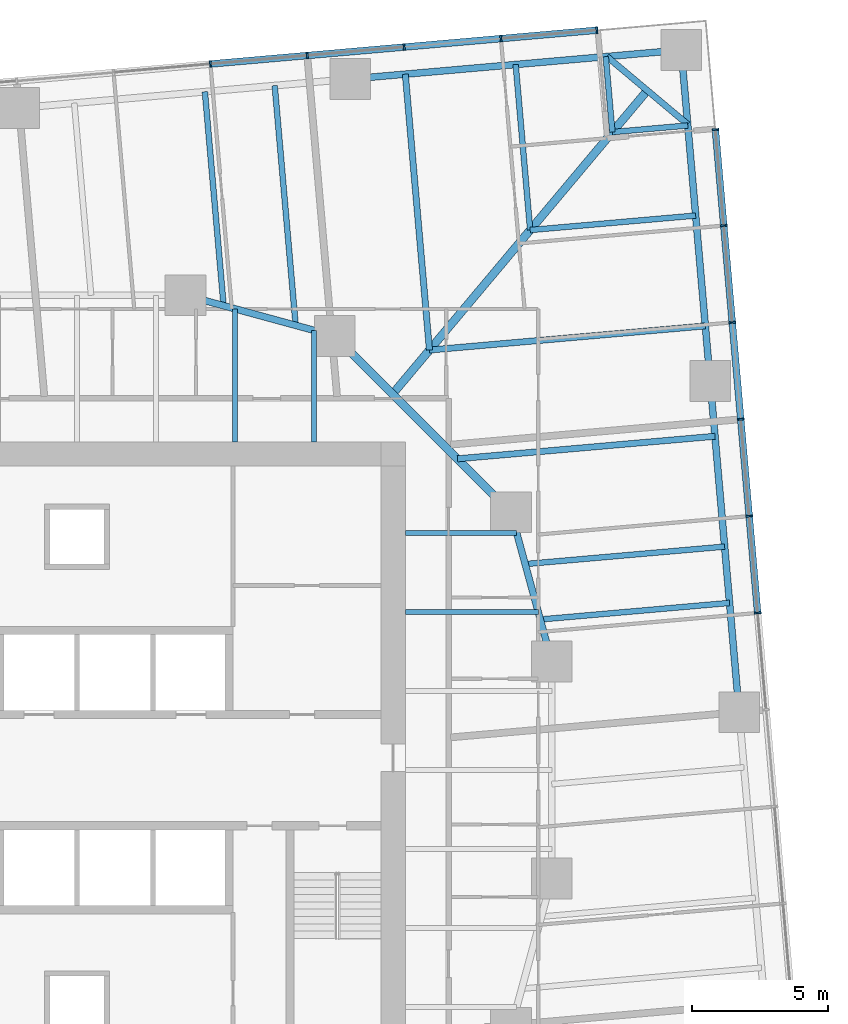
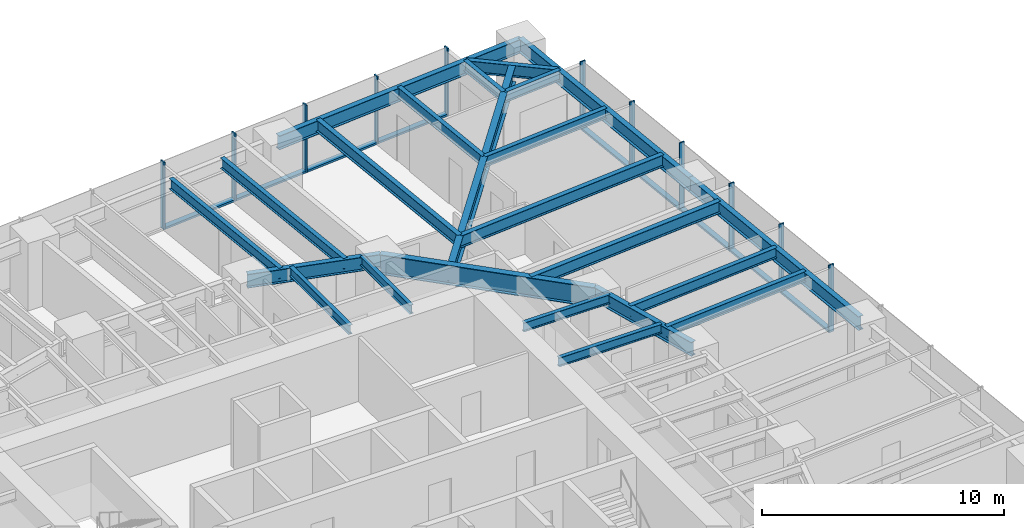
# One storey, part 6 of 14: 23 beams, 20 members, 2 elements without a shape of their own.
"""IFC4 building model written with IfcOpenShell, lengths in metres."""

from ifc_helpers import new_model, si_unit, direction, frame, origin, origin_2d, place, context, subcontext, project, spatial, rectangle, i_section, extrude, material, material_profile, profile_set, type_object, element, aggregate, save


model = new_model("IFC4")

# Units and contexts
model_context = context("Model", 3, precision=1e-05, world=origin(), true_north=direction((0.0, 1.0)))
body_context = subcontext(model_context, "Body", "Model", "MODEL_VIEW")
ifc_project = project(units=[si_unit("LENGTHUNIT", "METRE"), si_unit("AREAUNIT", "SQUARE_METRE"), si_unit("VOLUMEUNIT", "CUBIC_METRE"), si_unit("PLANEANGLEUNIT", "RADIAN"), si_unit("MASSUNIT", "GRAM", prefix="KILO")], contexts=[model_context])

# Site, building, storey
site_placement = place(None, origin())
site = spatial("IfcSite", under=ifc_project, at=site_placement, CompositionType="ELEMENT")
building_placement = place(site_placement, origin())
building = spatial("IfcBuilding", under=site, at=building_placement, Name="Torsade Residences", CompositionType="ELEMENT")
storey_placement = place(building_placement, frame((0.0, 0.0, 54.0)))
storey = spatial("IfcBuildingStorey", under=building, at=storey_placement, Name="L14", CompositionType="ELEMENT", Elevation=54.0)

# Beams
ifc_material_1 = material(Name="Steel grade 300", Category="steel")
ifc_material_profile_1 = material_profile(ifc_material_1, i_section(OverallWidth=0.300048828125, OverallDepth=0.89990234375, WebThickness=0.011962890625, FlangeThickness=0.02490234375, at=origin_2d()), Name="900WB175")
ifc_profile_set_1 = profile_set([ifc_material_profile_1], Name="Steel grade 300")
beam_type_1 = type_object("IfcBeamType", Name="CORNER GIRDER 900WB175", PredefinedType="BEAM", material=ifc_profile_set_1)
beam_1_placement = place(storey_placement, frame((61.021484375, 55.052490234375, 2.800048828125), z_axis=(-0.642785419012, -0.766046281307, 0.0), x_axis=(0.766046281307, -0.642785419012, 0.0)))
element("IfcBeam", 1, at=beam_1_placement, inside=storey, type_object=beam_type_1, Name="Corner girder 09 L15", PredefinedType="BEAM", context=body_context, shape_type="SweptSolid", body=[
    extrude(i_section(OverallWidth=0.300048828125, OverallDepth=0.89990234375, WebThickness=0.011962890625, FlangeThickness=0.02490234375, at=origin_2d()), origin(), (0.0, 0.0, 1.0), 14.603515625),
])
ifc_material_2 = material(Name="Steel grade 300", Category="steel")
ifc_material_profile_2 = material_profile(ifc_material_2, i_section(OverallWidth=0.22802734375, OverallDepth=0.60205078125, WebThickness=0.010498046875, FlangeThickness=0.014892578125, FilletRadius=0.013916015625, at=origin_2d()), Name="610UB101")
ifc_profile_set_2 = profile_set([ifc_material_profile_2], Name="Steel grade 300")
beam_type_2 = type_object("IfcBeamType", Name="CORNER TRIMMER 610UB101", PredefinedType="BEAM", material=ifc_profile_set_2)
beam_2_placement = place(storey_placement, frame((59.531982421875, 56.302490234375, 2.948974609375), z_axis=(0.766030001697, -0.642804819911, 0.0), x_axis=(0.642804819911, 0.766030001697, 0.0)))
element("IfcBeam", 2, at=beam_2_placement, inside=storey, type_object=beam_type_2, Name="Corner trimmer 09 L15", PredefinedType="BEAM", context=body_context, shape_type="SweptSolid", body=[
    extrude(i_section(OverallWidth=0.22802734375, OverallDepth=0.60205078125, WebThickness=0.010498046875, FlangeThickness=0.014892578125, FilletRadius=0.013916015625, at=origin_2d()), origin(), (0.0, 0.0, 1.0), 3.88916015625),
])

# Curtain wall, members
ifc_material_3 = material(Name="Aluminium and glass", Category="aluminium")
curtain_wall_type = type_object("IfcCurtainWallType", Name="FRITTED GLASS CURTAIN WALL LOW ZONE", PredefinedType="NOTDEFINED", material=ifc_material_3)
curtain_wall_1_placement = place(storey_placement, origin())
curtain_wall_1 = element("IfcCurtainWall", 3, at=curtain_wall_1_placement, inside=storey, type_object=curtain_wall_type, Name="Curtain wall L14 face 4", PredefinedType="NOTDEFINED")
ifc_material_4 = material(Name="Aluminium mullion", Category="aluminium")
ifc_material_profile_3 = material_profile(ifc_material_4, rectangle(XDim=0.25, YDim=0.06494140625, at=origin_2d()), Name="CURTAIN WALL MULLION 250x65")
ifc_profile_set_3 = profile_set([ifc_material_profile_3], Name="Aluminium mullion")
member_type_1 = type_object("IfcMemberType", Name="CURTAIN WALL MULLION 250x65", PredefinedType="MULLION", material=ifc_profile_set_3)
member_1_placement = place(storey_placement, frame((65.090576171875, 35.792236328125, 0.0), z_axis=(0.0, 0.0, 1.0), x_axis=(-0.996194697964, -0.087155744208, 0.0)))
member_1 = element("IfcMember", 4, at=member_1_placement, type_object=member_type_1, Name="Mullion 8", PredefinedType="MULLION", context=body_context, shape_type="SweptSolid", body=[
    extrude(rectangle(XDim=0.25, YDim=0.06494140625, at=origin_2d()), origin(), (0.0, 0.0, 1.0), 3.39990234375),
])
member_2_placement = place(storey_placement, frame((64.7783203125, 39.36181640625, 0.0), z_axis=(0.0, 0.0, 1.0), x_axis=(-0.996194697964, -0.087155744208, 0.0)))
member_2 = element("IfcMember", 5, at=member_2_placement, type_object=member_type_1, Name="Mullion 9", PredefinedType="MULLION", context=body_context, shape_type="SweptSolid", body=[
    extrude(rectangle(XDim=0.25, YDim=0.06494140625, at=origin_2d()), origin(), (0.0, 0.0, 1.0), 3.39990234375),
])
member_3_placement = place(storey_placement, frame((64.466064453125, 42.931640625, 0.0), z_axis=(0.0, 0.0, 1.0), x_axis=(-0.996194697964, -0.087155744208, 0.0)))
member_3 = element("IfcMember", 6, at=member_3_placement, type_object=member_type_1, Name="Mullion 10", PredefinedType="MULLION", context=body_context, shape_type="SweptSolid", body=[
    extrude(rectangle(XDim=0.25, YDim=0.06494140625, at=origin_2d()), origin(), (0.0, 0.0, 1.0), 3.39990234375),
])
member_4_placement = place(storey_placement, frame((64.15380859375, 46.501220703125, 0.0), z_axis=(0.0, 0.0, 1.0), x_axis=(-0.996194697964, -0.087155744208, 0.0)))
member_4 = element("IfcMember", 7, at=member_4_placement, type_object=member_type_1, Name="Mullion 11", PredefinedType="MULLION", context=body_context, shape_type="SweptSolid", body=[
    extrude(rectangle(XDim=0.25, YDim=0.06494140625, at=origin_2d()), origin(), (0.0, 0.0, 1.0), 3.39990234375),
])
member_5_placement = place(storey_placement, frame((63.84130859375, 50.071044921875, 0.0), z_axis=(0.0, 0.0, 1.0), x_axis=(-0.996194697964, -0.087155744208, 0.0)))
member_5 = element("IfcMember", 8, at=member_5_placement, type_object=member_type_1, Name="Mullion 12", PredefinedType="MULLION", context=body_context, shape_type="SweptSolid", body=[
    extrude(rectangle(XDim=0.25, YDim=0.06494140625, at=origin_2d()), origin(), (0.0, 0.0, 1.0), 3.39990234375),
])
member_6_placement = place(storey_placement, frame((63.531982421875, 53.6083984375, 0.0), z_axis=(0.0, 0.0, 1.0), x_axis=(-0.996194697964, -0.087155744208, 0.0)))
member_6 = element("IfcMember", 9, at=member_6_placement, type_object=member_type_1, Name="Mullion 13", PredefinedType="MULLION", context=body_context, shape_type="SweptSolid", body=[
    extrude(rectangle(XDim=0.25, YDim=0.06494140625, at=origin_2d()), origin(), (0.0, 0.0, 1.0), 3.39990234375),
])

curtain_wall_2_placement = place(storey_placement, origin())
curtain_wall_2 = element("IfcCurtainWall", 10, at=curtain_wall_2_placement, inside=storey, type_object=curtain_wall_type, Name="Curtain wall L14 face 7", PredefinedType="NOTDEFINED")
member_7_placement = place(storey_placement, frame((59.163330078125, 57.27392578125, 0.0), z_axis=(0.0, 0.0, 1.0), x_axis=(0.087155744208, -0.996194697964, 0.0)))
member_7 = element("IfcMember", 11, at=member_7_placement, type_object=member_type_1, Name="Mullion 1", PredefinedType="MULLION", context=body_context, shape_type="SweptSolid", body=[
    extrude(rectangle(XDim=0.25, YDim=0.06494140625, at=origin_2d()), origin(), (0.0, 0.0, 1.0), 3.39990234375),
])
member_8_placement = place(storey_placement, frame((55.6259765625, 56.964599609375, 0.0), z_axis=(0.0, 0.0, 1.0), x_axis=(0.087155744208, -0.996194697964, 0.0)))
member_8 = element("IfcMember", 12, at=member_8_placement, type_object=member_type_1, Name="Mullion 2", PredefinedType="MULLION", context=body_context, shape_type="SweptSolid", body=[
    extrude(rectangle(XDim=0.25, YDim=0.06494140625, at=origin_2d()), origin(), (0.0, 0.0, 1.0), 3.39990234375),
])
member_9_placement = place(storey_placement, frame((52.056396484375, 56.652099609375, 0.0), z_axis=(0.0, 0.0, 1.0), x_axis=(0.087155744208, -0.996194697964, 0.0)))
member_9 = element("IfcMember", 13, at=member_9_placement, type_object=member_type_1, Name="Mullion 3", PredefinedType="MULLION", context=body_context, shape_type="SweptSolid", body=[
    extrude(rectangle(XDim=0.25, YDim=0.06494140625, at=origin_2d()), origin(), (0.0, 0.0, 1.0), 3.39990234375),
])
member_10_placement = place(storey_placement, frame((48.486572265625, 56.33984375, 0.0), z_axis=(0.0, 0.0, 1.0), x_axis=(0.087155744208, -0.996194697964, 0.0)))
member_10 = element("IfcMember", 14, at=member_10_placement, type_object=member_type_1, Name="Mullion 4", PredefinedType="MULLION", context=body_context, shape_type="SweptSolid", body=[
    extrude(rectangle(XDim=0.25, YDim=0.06494140625, at=origin_2d()), origin(), (0.0, 0.0, 1.0), 3.39990234375),
])
member_11_placement = place(storey_placement, frame((44.9169921875, 56.027587890625, 0.0), z_axis=(0.0, 0.0, 1.0), x_axis=(0.087155744208, -0.996194697964, 0.0)))
member_11 = element("IfcMember", 15, at=member_11_placement, type_object=member_type_1, Name="Mullion 5", PredefinedType="MULLION", context=body_context, shape_type="SweptSolid", body=[
    extrude(rectangle(XDim=0.25, YDim=0.06494140625, at=origin_2d()), origin(), (0.0, 0.0, 1.0), 3.39990234375),
])

# Member
ifc_material_5 = material(Name="Aluminium transom", Category="aluminium")
ifc_material_profile_4 = material_profile(ifc_material_5, rectangle(XDim=0.25, YDim=0.10009765625, at=origin_2d()), Name="CURTAIN WALL TRANSOM 250x100")
ifc_profile_set_4 = profile_set([ifc_material_profile_4], Name="Aluminium transom")
member_type_2 = type_object("IfcMemberType", Name="CURTAIN WALL TRANSOM 250x100", PredefinedType="USERDEFINED", material=ifc_profile_set_4)
member_12_placement = place(storey_placement, frame((65.087890625, 35.824462890625, 0.050048828125), z_axis=(-0.08715059597, 0.996195148363, 0.0), x_axis=(-0.996195148363, -0.08715059597, 0.0)))
member_12 = element("IfcMember", 16, at=member_12_placement, type_object=member_type_2, Name="Transom 8.1", ObjectType="TRANSOM", PredefinedType="USERDEFINED", context=body_context, shape_type="SweptSolid", body=[
    extrude(rectangle(XDim=0.25, YDim=0.10009765625, at=origin_2d()), origin(), (0.0, 0.0, 1.0), 3.5185546875),
])

member_13_placement = place(storey_placement, frame((64.775634765625, 39.394287109375, 0.050048828125), z_axis=(-0.087156620531, 0.996194621295, 0.0), x_axis=(-0.996194621295, -0.087156620531, 0.0)))
member_13 = element("IfcMember", 17, at=member_13_placement, type_object=member_type_2, Name="Transom 9.1", ObjectType="TRANSOM", PredefinedType="USERDEFINED", context=body_context, shape_type="SweptSolid", body=[
    extrude(rectangle(XDim=0.25, YDim=0.10009765625, at=origin_2d()), origin(), (0.0, 0.0, 1.0), 3.518310546875),
])

member_14_placement = place(storey_placement, frame((64.463134765625, 42.9638671875, 0.050048828125), z_axis=(-0.08715059597, 0.996195148363, 0.0), x_axis=(-0.996195148363, -0.08715059597, 0.0)))
member_14 = element("IfcMember", 18, at=member_14_placement, type_object=member_type_2, Name="Transom 10.1", ObjectType="TRANSOM", PredefinedType="USERDEFINED", context=body_context, shape_type="SweptSolid", body=[
    extrude(rectangle(XDim=0.25, YDim=0.10009765625, at=origin_2d()), origin(), (0.0, 0.0, 1.0), 3.5185546875),
])

member_15_placement = place(storey_placement, frame((64.15087890625, 46.53369140625, 0.050048828125), z_axis=(-0.087156620531, 0.996194621295, 0.0), x_axis=(-0.996194621295, -0.087156620531, 0.0)))
member_15 = element("IfcMember", 19, at=member_15_placement, type_object=member_type_2, Name="Transom 11.1", ObjectType="TRANSOM", PredefinedType="USERDEFINED", context=body_context, shape_type="SweptSolid", body=[
    extrude(rectangle(XDim=0.25, YDim=0.10009765625, at=origin_2d()), origin(), (0.0, 0.0, 1.0), 3.518310546875),
])

member_16_placement = place(storey_placement, frame((63.838623046875, 50.103271484375, 0.050048828125), z_axis=(-0.08719475177, 0.996191284475, 0.0), x_axis=(-0.996191284475, -0.08719475177, 0.0)))
member_16 = element("IfcMember", 20, at=member_16_placement, type_object=member_type_2, Name="Transom 12.1", ObjectType="TRANSOM", PredefinedType="USERDEFINED", context=body_context, shape_type="SweptSolid", body=[
    extrude(rectangle(XDim=0.25, YDim=0.10009765625, at=origin_2d()), origin(), (0.0, 0.0, 1.0), 3.48583984375),
])

aggregate(curtain_wall_1, [member_1, member_2, member_3, member_4, member_5, member_6, member_12, member_13, member_14, member_15, member_16])

member_17_placement = place(storey_placement, frame((59.130859375, 57.271240234375, 0.050048828125), z_axis=(-0.996190751941, -0.0872008357, 0.0), x_axis=(0.0872008357, -0.996190751941, 0.0)))
member_17 = element("IfcMember", 21, at=member_17_placement, type_object=member_type_2, Name="Transom 1.1", ObjectType="TRANSOM", PredefinedType="USERDEFINED", context=body_context, shape_type="SweptSolid", body=[
    extrude(rectangle(XDim=0.25, YDim=0.10009765625, at=origin_2d()), origin(), (0.0, 0.0, 1.0), 3.485595703125),
])

member_18_placement = place(storey_placement, frame((55.59375, 56.961669921875, 0.050048828125), z_axis=(-0.996195148363, -0.08715059597, 0.0), x_axis=(0.08715059597, -0.996195148363, 0.0)))
member_18 = element("IfcMember", 22, at=member_18_placement, type_object=member_type_2, Name="Transom 2.1", ObjectType="TRANSOM", PredefinedType="USERDEFINED", context=body_context, shape_type="SweptSolid", body=[
    extrude(rectangle(XDim=0.25, YDim=0.10009765625, at=origin_2d()), origin(), (0.0, 0.0, 1.0), 3.5185546875),
])

member_19_placement = place(storey_placement, frame((52.02392578125, 56.6494140625, 0.050048828125), z_axis=(-0.996194621295, -0.087156620531, 0.0), x_axis=(0.087156620531, -0.996194621295, 0.0)))
member_19 = element("IfcMember", 23, at=member_19_placement, type_object=member_type_2, Name="Transom 3.1", ObjectType="TRANSOM", PredefinedType="USERDEFINED", context=body_context, shape_type="SweptSolid", body=[
    extrude(rectangle(XDim=0.25, YDim=0.10009765625, at=origin_2d()), origin(), (0.0, 0.0, 1.0), 3.518310546875),
])

member_20_placement = place(storey_placement, frame((48.454345703125, 56.337158203125, 0.050048828125), z_axis=(-0.996195148363, -0.08715059597, 0.0), x_axis=(0.08715059597, -0.996195148363, 0.0)))
member_20 = element("IfcMember", 24, at=member_20_placement, type_object=member_type_2, Name="Transom 4.1", ObjectType="TRANSOM", PredefinedType="USERDEFINED", context=body_context, shape_type="SweptSolid", body=[
    extrude(rectangle(XDim=0.25, YDim=0.10009765625, at=origin_2d()), origin(), (0.0, 0.0, 1.0), 3.5185546875),
])

aggregate(curtain_wall_2, [member_7, member_8, member_9, member_10, member_11, member_17, member_18, member_19, member_20])

# Beams
ifc_material_6 = material(Name="Steel grade 300", Category="steel")
ifc_material_profile_5 = material_profile(ifc_material_6, i_section(OverallWidth=0.25, OverallDepth=0.699951171875, WebThickness=0.010009765625, FlangeThickness=0.02001953125, at=origin_2d()), Name="700WB130")
ifc_profile_set_5 = profile_set([ifc_material_profile_5], Name="Steel grade 300")
beam_type_3 = type_object("IfcBeamType", Name="EDGE BEAM 700WB130", PredefinedType="SPANDREL", material=ifc_profile_set_5)
for number, where, z_axis, x_axis, name in (
    (25, (64.40673828125, 32.13525390625, 2.89990234375), (-0.08715335259, 0.996194907201, 0.0), (-0.996194907201, -0.08715335259, 0.0), "Edge beam 07 L15"),
    (26, (63.339111328125, 44.338623046875, 2.89990234375), (-0.08715335259, 0.996194907201, 0.0), (-0.996194907201, -0.08715335259, 0.0), "Edge beam 08 L15"),
    (27, (62.271484375, 56.5419921875, 2.89990234375), (-0.996194907201, -0.08715335259, 0.0), (0.08715335259, -0.996194907201, 0.0), "Edge beam 09 L15"),
):
    element("IfcBeam", number, at=place(storey_placement, frame(where, z_axis=z_axis, x_axis=x_axis)), inside=storey, type_object=beam_type_3, Name=name, PredefinedType="SPANDREL", context=body_context, shape_type="SweptSolid", body=[
        extrude(i_section(OverallWidth=0.25, OverallDepth=0.699951171875, WebThickness=0.010009765625, FlangeThickness=0.02001953125, at=origin_2d()), origin(), (0.0, 0.0, 1.0), 12.25),
    ])
ifc_material_7 = material(Name="Steel grade 300", Category="steel")
ifc_material_profile_6 = material_profile(ifc_material_7, i_section(OverallWidth=0.18994140625, OverallDepth=0.4541015625, WebThickness=0.008544921875, FlangeThickness=0.0126953125, FilletRadius=0.011474609375, at=origin_2d()), Name="460UB67.1")
ifc_profile_set_6 = profile_set([ifc_material_profile_6], Name="Steel grade 300")
beam_type_4 = type_object("IfcBeamType", Name="INNER FLOOR BEAM 460UB67.1", PredefinedType="JOIST", material=ifc_profile_set_6)
beam_3_placement = place(storey_placement, frame((45.824951171875, 42.10009765625, 3.02294921875), z_axis=(0.0, 1.0, 0.0), x_axis=(-1.0, 0.0, 0.0)))
element("IfcBeam", 28, at=beam_3_placement, inside=storey, type_object=beam_type_4, Name="Inner floor beam IN06 L15", PredefinedType="JOIST", context=body_context, shape_type="SweptSolid", body=[
    extrude(i_section(OverallWidth=0.18994140625, OverallDepth=0.4541015625, WebThickness=0.008544921875, FlangeThickness=0.0126953125, FilletRadius=0.011474609375, at=origin_2d()), origin(), (0.0, 0.0, 1.0), 4.902099609375),
])
beam_4_placement = place(storey_placement, frame((48.737548828125, 42.10009765625, 3.02294921875), z_axis=(0.0, 1.0, 0.0), x_axis=(-1.0, 0.0, 0.0)))
element("IfcBeam", 29, at=beam_4_placement, inside=storey, type_object=beam_type_4, Name="Inner floor beam IN07 L15", PredefinedType="JOIST", context=body_context, shape_type="SweptSolid", body=[
    extrude(i_section(OverallWidth=0.18994140625, OverallDepth=0.4541015625, WebThickness=0.008544921875, FlangeThickness=0.0126953125, FilletRadius=0.011474609375, at=origin_2d()), origin(), (0.0, 0.0, 1.0), 4.10791015625),
])
beam_5_placement = place(storey_placement, frame((52.10009765625, 35.824951171875, 3.02294921875), z_axis=(1.0, 0.0, 0.0), x_axis=(0.0, 1.0, 0.0)))
element("IfcBeam", 30, at=beam_5_placement, inside=storey, type_object=beam_type_4, Name="Inner floor beam IE06 L15", PredefinedType="JOIST", context=body_context, shape_type="SweptSolid", body=[
    extrude(i_section(OverallWidth=0.18994140625, OverallDepth=0.4541015625, WebThickness=0.008544921875, FlangeThickness=0.0126953125, FilletRadius=0.011474609375, at=origin_2d()), origin(), (0.0, 0.0, 1.0), 4.902099609375),
])
beam_6_placement = place(storey_placement, frame((52.10009765625, 38.737548828125, 3.02294921875), z_axis=(1.0, 0.0, 0.0), x_axis=(0.0, 1.0, 0.0)))
element("IfcBeam", 31, at=beam_6_placement, inside=storey, type_object=beam_type_4, Name="Inner floor beam IE07 L15", PredefinedType="JOIST", context=body_context, shape_type="SweptSolid", body=[
    extrude(i_section(OverallWidth=0.18994140625, OverallDepth=0.4541015625, WebThickness=0.008544921875, FlangeThickness=0.0126953125, FilletRadius=0.011474609375, at=origin_2d()), origin(), (0.0, 0.0, 1.0), 4.10791015625),
])
ifc_material_8 = material(Name="Steel grade 300", Category="steel")
ifc_material_profile_7 = material_profile(ifc_material_8, i_section(OverallWidth=0.300048828125, OverallDepth=1.0, WebThickness=0.01611328125, FlangeThickness=0.028076171875, at=origin_2d()), Name="1000WB215")
ifc_profile_set_7 = profile_set([ifc_material_profile_7], Name="Steel grade 300")
beam_type_5 = type_object("IfcBeamType", Name="RING CORNER GIRDER 1000WB215", PredefinedType="BEAM", material=ifc_profile_set_7)
beam_7_placement = place(storey_placement, frame((56.0, 39.5, 2.75), z_axis=(-0.707106781187, 0.707106781187, 0.0), x_axis=(-0.707106781187, -0.707106781187, 0.0)))
element("IfcBeam", 32, at=beam_7_placement, inside=storey, type_object=beam_type_5, Name="Ring girder IR03 L15", PredefinedType="BEAM", context=body_context, shape_type="SweptSolid", body=[
    extrude(i_section(OverallWidth=0.300048828125, OverallDepth=1.0, WebThickness=0.01611328125, FlangeThickness=0.028076171875, at=origin_2d()), origin(), (0.0, 0.0, 1.0), 9.1923828125),
])
ifc_material_9 = material(Name="Steel grade 300", Category="steel")
ifc_material_profile_8 = material_profile(ifc_material_9, i_section(OverallWidth=0.25, OverallDepth=0.699951171875, WebThickness=0.010009765625, FlangeThickness=0.02001953125, at=origin_2d()), Name="700WB130")
ifc_profile_set_8 = profile_set([ifc_material_profile_8], Name="Steel grade 300")
beam_type_6 = type_object("IfcBeamType", Name="RING GIRDER 700WB130", PredefinedType="BEAM", material=ifc_profile_set_8)
for number, where, z_axis, x_axis, name in (
    (33, (57.5, 34.0, 2.89990234375), (-0.263117405792, 0.964763821238, 0.0), (-0.964763821238, -0.263117405792, 0.0), "Ring girder IR02 L15"),
    (34, (49.5, 46.0, 2.89990234375), (-0.964763821238, 0.263117405792, 0.0), (-0.263117405792, -0.964763821238, 0.0), "Ring girder IR04 L15"),
):
    element("IfcBeam", number, at=place(storey_placement, frame(where, z_axis=z_axis, x_axis=x_axis)), inside=storey, type_object=beam_type_6, Name=name, PredefinedType="BEAM", context=body_context, shape_type="SweptSolid", body=[
        extrude(i_section(OverallWidth=0.25, OverallDepth=0.699951171875, WebThickness=0.010009765625, FlangeThickness=0.02001953125, at=origin_2d()), origin(), (0.0, 0.0, 1.0), 5.700927734375),
    ])
ifc_material_10 = material(Name="Steel grade 300", Category="steel")
ifc_material_profile_9 = material_profile(ifc_material_10, i_section(OverallWidth=0.208984375, OverallDepth=0.528076171875, WebThickness=0.009521484375, FlangeThickness=0.01318359375, FilletRadius=0.013916015625, at=origin_2d()), Name="530UB82.0")
ifc_profile_set_9 = profile_set([ifc_material_profile_9], Name="Steel grade 300")
beam_type_7 = type_object("IfcBeamType", Name="SECONDARY BEAM 530UB82.0", PredefinedType="JOIST", material=ifc_profile_set_9)
beam_8_placement = place(storey_placement, frame((64.054443359375, 36.16162109375, 2.986083984375), z_axis=(-0.99619296077, -0.087175598142, 0.0), x_axis=(0.087175598142, -0.99619296077, 0.0)))
element("IfcBeam", 35, at=beam_8_placement, inside=storey, type_object=beam_type_7, Name="Floor beam FE07 L15", PredefinedType="JOIST", context=body_context, shape_type="SweptSolid", body=[
    extrude(i_section(OverallWidth=0.208984375, OverallDepth=0.528076171875, WebThickness=0.009521484375, FlangeThickness=0.01318359375, FilletRadius=0.013916015625, at=origin_2d()), origin(), (0.0, 0.0, 1.0), 7.004150390625),
])
beam_9_placement = place(storey_placement, frame((63.873046875, 38.237060546875, 2.986083984375), z_axis=(-0.996194650902, -0.087156282128, 0.0), x_axis=(0.087156282128, -0.996194650902, 0.0)))
element("IfcBeam", 36, at=beam_9_placement, inside=storey, type_object=beam_type_7, Name="Floor beam FE08 L15", PredefinedType="JOIST", context=body_context, shape_type="SweptSolid", body=[
    extrude(i_section(OverallWidth=0.208984375, OverallDepth=0.528076171875, WebThickness=0.009521484375, FlangeThickness=0.01318359375, FilletRadius=0.013916015625, at=origin_2d()), origin(), (0.0, 0.0, 1.0), 7.381103515625),
])
beam_10_placement = place(storey_placement, frame((62.80517578125, 50.4404296875, 2.986083984375), z_axis=(-0.996193025206, -0.087174861801, 0.0), x_axis=(0.087174861801, -0.996193025206, 0.0)))
element("IfcBeam", 37, at=beam_10_placement, inside=storey, type_object=beam_type_7, Name="Floor beam FE11 L15", PredefinedType="JOIST", context=body_context, shape_type="SweptSolid", body=[
    extrude(i_section(OverallWidth=0.208984375, OverallDepth=0.528076171875, WebThickness=0.009521484375, FlangeThickness=0.01318359375, FilletRadius=0.013916015625, at=origin_2d()), origin(), (0.0, 0.0, 1.0), 6.125),
])
for number, where, z_axis, x_axis, name in (
    (38, (62.5146484375, 53.760986328125, 2.986083984375), (-0.996199126418, -0.087105111923, 0.0), (0.087105111923, -0.996199126418, 0.0), "Floor beam FE12 L15"),
    (39, (59.490478515625, 56.298828125, 2.986083984375), (0.087105111923, -0.996199126418, 0.0), (0.996199126418, 0.087105111923, 0.0), "Floor beam FN01 L15"),
):
    element("IfcBeam", number, at=place(storey_placement, frame(where, z_axis=z_axis, x_axis=x_axis)), inside=storey, type_object=beam_type_7, Name=name, PredefinedType="JOIST", context=body_context, shape_type="SweptSolid", body=[
        extrude(i_section(OverallWidth=0.208984375, OverallDepth=0.528076171875, WebThickness=0.009521484375, FlangeThickness=0.01318359375, FilletRadius=0.013916015625, at=origin_2d()), origin(), (0.0, 0.0, 1.0), 2.79150390625),
    ])
beam_11_placement = place(storey_placement, frame((56.169677734375, 56.00830078125, 2.986083984375), z_axis=(0.087171400335, -0.996193328106, 0.0), x_axis=(0.996193328106, 0.087171400335, 0.0)))
element("IfcBeam", 40, at=beam_11_placement, inside=storey, type_object=beam_type_7, Name="Floor beam FN02 L15", PredefinedType="JOIST", context=body_context, shape_type="SweptSolid", body=[
    extrude(i_section(OverallWidth=0.208984375, OverallDepth=0.528076171875, WebThickness=0.009521484375, FlangeThickness=0.01318359375, FilletRadius=0.013916015625, at=origin_2d()), origin(), (0.0, 0.0, 1.0), 6.125244140625),
])
beam_12_placement = place(storey_placement, frame((47.287109375, 55.231201171875, 2.986083984375), z_axis=(0.08714612802, -0.996195539225, 0.0), x_axis=(0.996195539225, 0.08714612802, 0.0)))
element("IfcBeam", 41, at=beam_12_placement, inside=storey, type_object=beam_type_7, Name="Floor beam FN04 L15", PredefinedType="JOIST", context=body_context, shape_type="SweptSolid", body=[
    extrude(i_section(OverallWidth=0.208984375, OverallDepth=0.528076171875, WebThickness=0.009521484375, FlangeThickness=0.01318359375, FilletRadius=0.013916015625, at=origin_2d()), origin(), (0.0, 0.0, 1.0), 8.872314453125),
])
beam_13_placement = place(storey_placement, frame((44.713623046875, 55.005859375, 2.986083984375), z_axis=(0.087157771408, -0.996194520605, 0.0), x_axis=(0.996194520605, 0.087157771408, 0.0)))
element("IfcBeam", 42, at=beam_13_placement, inside=storey, type_object=beam_type_7, Name="Floor beam FN05 L15", PredefinedType="JOIST", context=body_context, shape_type="SweptSolid", body=[
    extrude(i_section(OverallWidth=0.208984375, OverallDepth=0.528076171875, WebThickness=0.009521484375, FlangeThickness=0.01318359375, FilletRadius=0.013916015625, at=origin_2d()), origin(), (0.0, 0.0, 1.0), 7.918701171875),
])
ifc_material_11 = material(Name="Steel grade 300", Category="steel")
ifc_material_profile_10 = material_profile(ifc_material_11, i_section(OverallWidth=0.22900390625, OverallDepth=0.612060546875, WebThickness=0.011962890625, FlangeThickness=0.01953125, FilletRadius=0.013916015625, at=origin_2d()), Name="610UB125")
ifc_profile_set_10 = profile_set([ifc_material_profile_10], Name="Steel grade 300")
beam_type_8 = type_object("IfcBeamType", Name="SECONDARY BEAM 610UB125", PredefinedType="JOIST", material=ifc_profile_set_10)
beam_14_placement = place(storey_placement, frame((63.51708984375, 42.3046875, 2.944091796875), z_axis=(-0.996195358323, -0.087148195942, 0.0), x_axis=(0.087148195942, -0.996195358323, 0.0)))
element("IfcBeam", 43, at=beam_14_placement, inside=storey, type_object=beam_type_8, Name="Floor beam FE09 L15", PredefinedType="JOIST", context=body_context, shape_type="SweptSolid", body=[
    extrude(i_section(OverallWidth=0.22900390625, OverallDepth=0.612060546875, WebThickness=0.011962890625, FlangeThickness=0.01953125, FilletRadius=0.013916015625, at=origin_2d()), origin(), (0.0, 0.0, 1.0), 9.527587890625),
])
for number, where, z_axis, x_axis, name in (
    (44, (63.1611328125, 46.37255859375, 2.944091796875), (-0.996195222988, -0.087149742944, 0.0), (0.087149742944, -0.996195222988, 0.0), "Floor beam FE10 L15"),
    (45, (52.10205078125, 55.65234375, 2.944091796875), (0.087149742944, -0.996195222988, 0.0), (0.996195222988, 0.087149742944, 0.0), "Floor beam FN03 L15"),
):
    element("IfcBeam", number, at=place(storey_placement, frame(where, z_axis=z_axis, x_axis=x_axis)), inside=storey, type_object=beam_type_8, Name=name, PredefinedType="JOIST", context=body_context, shape_type="SweptSolid", body=[
        extrude(i_section(OverallWidth=0.22900390625, OverallDepth=0.612060546875, WebThickness=0.011962890625, FlangeThickness=0.01953125, FilletRadius=0.013916015625, at=origin_2d()), origin(), (0.0, 0.0, 1.0), 10.208251953125),
    ])

save(model, "model.ifc")
